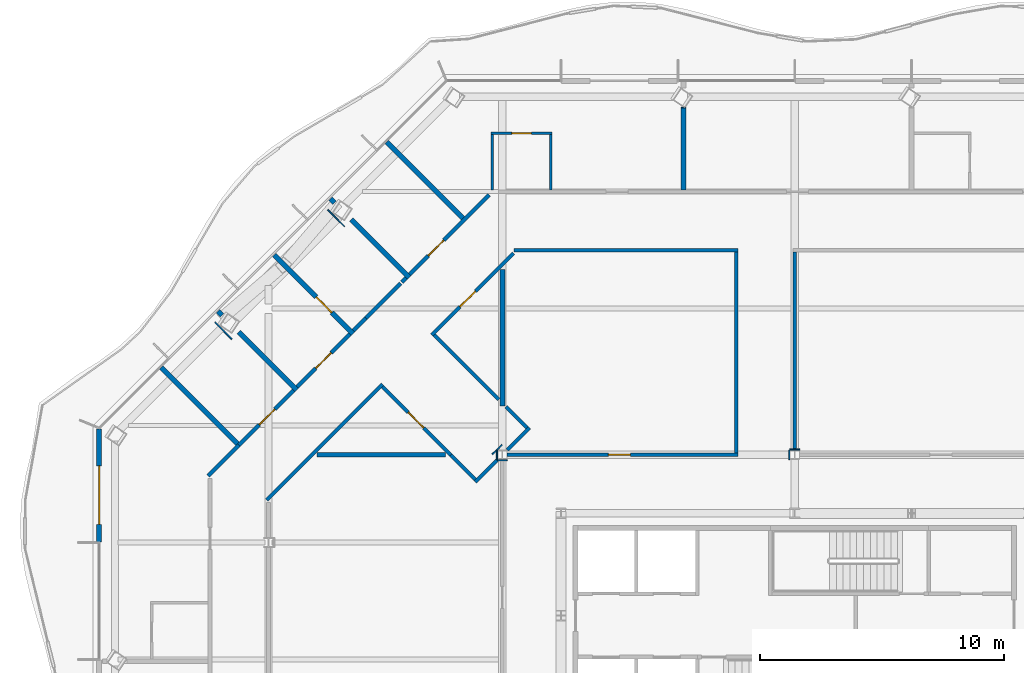
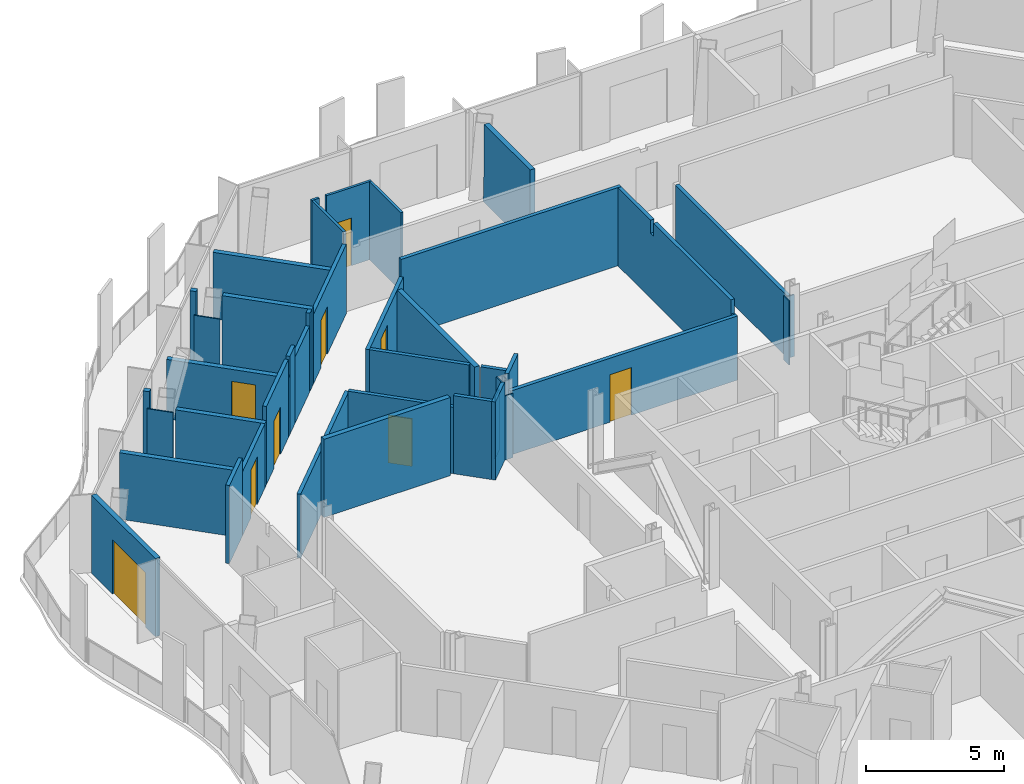
# One storey, part 12 of 21: 40 walls, 9 doors, 9 openings.
"""IFC4 building model written with IfcOpenShell, lengths in metres."""

from ifc_helpers import new_model, si_unit, direction, frame, frame_2d, origin, place, context, subcontext, project, spatial, polyline, rectangle, outline, extrude, material, layer, layer_set, type_object, element, fill, save


model = new_model("IFC4")

# Units and contexts
model_context = context("Model", 3, precision=1e-05, world=origin(), true_north=direction((0.0, 1.0)))
body_context = subcontext(model_context, "Body", "Model", "MODEL_VIEW")
ifc_project = project(units=[si_unit("LENGTHUNIT", "METRE"), si_unit("AREAUNIT", "SQUARE_METRE"), si_unit("VOLUMEUNIT", "CUBIC_METRE"), si_unit("PLANEANGLEUNIT", "RADIAN"), si_unit("MASSUNIT", "GRAM", prefix="KILO")], contexts=[model_context])

# Site, building, storey
site_placement = place(None, origin())
site = spatial("IfcSite", under=ifc_project, at=site_placement, CompositionType="ELEMENT")
building_placement = place(site_placement, origin())
building = spatial("IfcBuilding", under=site, at=building_placement, Name="Cairn Pilgrim Tower", CompositionType="ELEMENT")
storey_placement = place(building_placement, frame((0.0, 0.0, 172.199951171875)))
storey = spatial("IfcBuildingStorey", under=building, at=storey_placement, Name="L43", CompositionType="ELEMENT", Elevation=172.199951171875)

# Wall, opening, door
ifc_material_1 = material(Name="Bronze anodised aluminium insulated sandwich panel with mineral wool fill", Category="aluminium")
ifc_layer_1 = layer(ifc_material_1, 0.199951171875)
ifc_layer_set_1 = layer_set([ifc_layer_1], Name="BRONZE INFILL FRAME WALL 200")
wall_type_1 = type_object("IfcWallType", Name="BRONZE INFILL FRAME WALL 200", PredefinedType="NOTDEFINED", material=ifc_layer_set_1)
wall_1_placement = place(storey_placement, frame((-21.35009765625, 14.25634765625, 0.0), z_axis=(0.0, 0.0, 1.0), x_axis=(0.0, -1.0, 0.0)))
wall_1 = element("IfcWall", 1, at=wall_1_placement, inside=storey, type_object=wall_type_1, Name="Bronze infill frame wall IW-W1", PredefinedType="NOTDEFINED", context=body_context, shape_type="SweptSolid", body=[
    extrude(rectangle(XDim=4.62646484375, YDim=0.199951171875, at=frame_2d((2.313232421875, 0.0))), origin(), (0.0, 0.0, 1.0), 3.449951171875),
])
opening_1_placement = place(wall_1_placement, frame((1.508544921875, 0.0, 0.0)))
opening_1 = element("IfcOpeningElement", 2, at=opening_1_placement, cuts=wall_1, Name="Opening 4320B", PredefinedType="OPENING", context=body_context, shape_type="SweptSolid", body=[
    extrude(rectangle(XDim=2.39990234375, YDim=2.39990234375, at=frame_2d((1.199951171875, 1.199951171875))), frame((0.0, 0.10986328125, 0.0), z_axis=(0.0, -1.0, 0.0), x_axis=(1.0, 0.0, 0.0)), (0.0, 0.0, 1.0), 0.219970703125),
])
ifc_material_2 = material(Name="Bronze anodised aluminium frame with tinted low-E glass", Category="aluminium")
door_type_1 = type_object("IfcDoorType", Name="BALCONY SLIDING DOOR 2400x2400", OperationType="DOUBLE_DOOR_SLIDING", PredefinedType="DOOR", material=ifc_material_2)
door_1_placement = place(opening_1_placement, origin())
door_1 = element("IfcDoor", 3, at=door_1_placement, inside=storey, type_object=door_type_1, Name="Balcony sliding door 4320B", OperationType="SINGLE_SWING_LEFT", OverallHeight=2.39990234375, OverallWidth=2.39990234375, PredefinedType="DOOR", context=body_context, shape_type="SweptSolid", body=[
    extrude(rectangle(XDim=2.39990234375, YDim=2.39990234375, at=frame_2d((1.199951171875, 1.199951171875))), frame((0.0, 0.02490234375, 0.0), z_axis=(0.0, -1.0, 0.0), x_axis=(1.0, 0.0, 0.0)), (0.0, 0.0, 1.0), 0.050048828125),
])
fill(opening_1, door_1)

# Walls
ifc_material_3 = material(Name="Gypsum partition")
ifc_layer_2 = layer(ifc_material_3, 0.10009765625)
ifc_layer_set_2 = layer_set([ifc_layer_2], Name="PARTITION 100 DRYWALL")
wall_type_2 = type_object("IfcWallType", Name="PARTITION 100 DRYWALL", PredefinedType="PARTITIONING", material=ifc_layer_set_2)
for number, where, z_axis, x_axis, name in (
    (4, (-5.2119140625, 24.074951171875, 0.0), (0.0, 0.0, 1.0), (0.0, 1.0, 0.0), "PARTITION W128"),
    (5, (-2.81201171875, 24.074951171875, 0.0), (0.0, 0.0, 1.0), (0.0, 1.0, 0.0), "PARTITION W129"),
):
    element("IfcWall", number, at=place(storey_placement, frame(where, z_axis=z_axis, x_axis=x_axis)), inside=storey, type_object=wall_type_2, Name=name, PredefinedType="PARTITIONING", context=body_context, shape_type="SweptSolid", body=[
        extrude(rectangle(XDim=2.275146484375, YDim=0.10009765625, at=frame_2d((1.1376953125, 0.0))), origin(), (0.0, 0.0, 1.0), 3.449951171875),
    ])

# Wall, opening, door
wall_2_placement = place(storey_placement, frame((-5.261962890625, 26.39990234375, 0.0), z_axis=(0.0, 0.0, 1.0), x_axis=(1.0, 0.0, 0.0)))
wall_2 = element("IfcWall", 6, at=wall_2_placement, inside=storey, type_object=wall_type_2, Name="PARTITION W133", PredefinedType="PARTITIONING", context=body_context, shape_type="SweptSolid", body=[
    extrude(outline(polyline([(0.0, 0.0), (2.5, 0.0), (2.5, 3.449951171875), (0.612060546875, 3.449951171875), (0.610107421875, 2.72998046875), (0.31201171875, 2.72998046875), (0.31005859375, 3.449951171875), (0.0, 3.449951171875), (0.0, 0.0)])), frame((0.0, 0.050048828125, 0.0), z_axis=(0.0, -1.0, 0.0), x_axis=(1.0, 0.0, 0.0)), (0.0, 0.0, 1.0), 0.10009765625),
])
opening_2_placement = place(wall_2_placement, frame((0.85009765625, 0.0, 0.0)))
opening_2 = element("IfcOpeningElement", 7, at=opening_2_placement, cuts=wall_2, Name="Opening 4315A", PredefinedType="OPENING", context=body_context, shape_type="SweptSolid", body=[
    extrude(rectangle(XDim=0.800048828125, YDim=2.10009765625, at=frame_2d((0.39990234375, 1.050048828125))), frame((0.0, 0.06005859375, 0.0), z_axis=(0.0, -1.0, 0.0), x_axis=(1.0, 0.0, 0.0)), (0.0, 0.0, 1.0), 0.1201171875),
])
ifc_material_4 = material(Name="Timber door leaf", Category="wood")
door_type_2 = type_object("IfcDoorType", Name="WC DOOR 800x2100", OperationType="NOTDEFINED", PredefinedType="DOOR", material=ifc_material_4)
door_2_placement = place(opening_2_placement, origin())
door_2 = element("IfcDoor", 8, at=door_2_placement, inside=storey, type_object=door_type_2, Name="DOOR 4315A", OperationType="SINGLE_SWING_LEFT", OverallHeight=2.10009765625, OverallWidth=0.800048828125, PredefinedType="DOOR", context=body_context, shape_type="SweptSolid", body=[
    extrude(rectangle(XDim=0.800048828125, YDim=2.10009765625, at=frame_2d((0.39990234375, 1.050048828125))), frame((0.0, 0.02490234375, 0.0), z_axis=(0.0, -1.0, 0.0), x_axis=(1.0, 0.0, 0.0)), (0.0, 0.0, 1.0), 0.050048828125),
])
fill(opening_2, door_2)

# Walls
ifc_layer_3 = layer(ifc_material_3, 0.14990234375)
ifc_layer_set_3 = layer_set([ifc_layer_3], Name="PARTITION 150 DRYWALL EI 60")
wall_type_3 = type_object("IfcWallType", Name="PARTITION 150 DRYWALL EI 60", PredefinedType="PARTITIONING", material=ifc_layer_set_3)
wall_3_placement = place(storey_placement, frame((-14.47509765625, 11.343017578125, 0.0), z_axis=(0.0, 0.0, 1.0), x_axis=(0.707124921665, 0.707088640243, 0.0)))
element("IfcWall", 9, at=wall_3_placement, inside=storey, type_object=wall_type_3, Name="PARTITION W075", PredefinedType="PARTITIONING", context=body_context, shape_type="SweptSolid", body=[
    extrude(rectangle(XDim=6.72900390625, YDim=0.14990234375, at=frame_2d((3.364501953125, 0.0))), origin(), (0.0, 0.0, 1.0), 2.830078125),
])
wall_4_placement = place(storey_placement, frame((-5.9140625, 12.0859375, 0.0), z_axis=(0.0, 0.0, 1.0), x_axis=(0.707106781187, 0.707106781187, 0.0)))
element("IfcWall", 10, at=wall_4_placement, inside=storey, type_object=wall_type_3, Name="PARTITION W077", PredefinedType="PARTITIONING", context=body_context, shape_type="SweptSolid", body=[
    extrude(rectangle(XDim=1.29541015625, YDim=0.14990234375, at=frame_2d((0.647705078125, 0.0))), origin(), (0.0, 0.0, 1.0), 3.449951171875),
])
wall_5_placement = place(storey_placement, frame((-5.9140625, 12.192138671875, 0.0), z_axis=(0.0, 0.0, 1.0), x_axis=(-0.706763941595, 0.707449454633, 0.0)))
element("IfcWall", 11, at=wall_5_placement, inside=storey, type_object=wall_type_3, Name="PARTITION W079", PredefinedType="PARTITIONING", context=body_context, shape_type="SweptSolid", body=[
    extrude(rectangle(XDim=1.424560546875, YDim=0.14990234375, at=frame_2d((0.71240234375, 0.0))), origin(), (0.0, 0.0, 1.0), 3.449951171875),
])
wall_6_placement = place(storey_placement, frame((-16.875, 12.337158203125, 0.0), z_axis=(0.0, 0.0, 1.0), x_axis=(0.707380006342, 0.706833450417, 0.0)))
element("IfcWall", 12, at=wall_6_placement, inside=storey, type_object=wall_type_3, Name="PARTITION W081", PredefinedType="PARTITIONING", context=body_context, shape_type="SweptSolid", body=[
    extrude(rectangle(XDim=1.786865234375, YDim=0.14990234375, at=frame_2d((0.8935546875, 0.0))), origin(), (0.0, 0.0, 1.0), 3.449951171875),
])

# Wall, opening, door
wall_7_placement = place(storey_placement, frame((-6.9208984375, 13.199951171875, 0.0), z_axis=(0.0, 0.0, 1.0), x_axis=(-0.707230271715, 0.706983269088, 0.0)))
wall_7 = element("IfcWall", 13, at=wall_7_placement, inside=storey, type_object=wall_type_3, Name="PARTITION W084", PredefinedType="PARTITIONING", context=body_context, shape_type="SweptSolid", body=[
    extrude(rectangle(XDim=3.95361328125, YDim=0.14990234375, at=frame_2d((1.976806640625, 0.0))), origin(), (0.0, 0.0, 1.0), 2.929931640625),
])
opening_3_placement = place(wall_7_placement, frame((1.56396484375, 0.0, 0.0)))
opening_3 = element("IfcOpeningElement", 14, at=opening_3_placement, cuts=wall_7, Name="Opening 4336", PredefinedType="OPENING", context=body_context, shape_type="SweptSolid", body=[
    extrude(rectangle(XDim=0.89990234375, YDim=2.10009765625, at=frame_2d((0.449951171875, 1.050048828125))), frame((0.0, 0.0849609375, 0.0), z_axis=(0.0, -1.0, 0.0), x_axis=(1.0, 0.0, 0.0)), (0.0, 0.0, 1.0), 0.169921875),
])
door_type_3 = type_object("IfcDoorType", Name="SERVICE DOOR 900x2100 FD30S", OperationType="NOTDEFINED", PredefinedType="DOOR", material=ifc_material_4)
door_3_placement = place(opening_3_placement, origin())
door_3 = element("IfcDoor", 15, at=door_3_placement, inside=storey, type_object=door_type_3, Name="DOOR 4336", OperationType="SINGLE_SWING_LEFT", OverallHeight=2.10009765625, OverallWidth=0.89990234375, PredefinedType="DOOR", context=body_context, shape_type="SweptSolid", body=[
    extrude(rectangle(XDim=0.89990234375, YDim=2.10009765625, at=frame_2d((0.449951171875, 1.050048828125))), frame((0.0, 0.02490234375, 0.0), z_axis=(0.0, -1.0, 0.0), x_axis=(1.0, 0.0, 0.0)), (0.0, 0.0, 1.0), 0.050048828125),
])
fill(opening_3, door_3)

wall_8_placement = place(storey_placement, frame((-4.6005859375, 13.199951171875, 0.0), z_axis=(0.0, 0.0, 1.0), x_axis=(1.0, 0.0, 0.0)))
wall_8 = element("IfcWall", 16, at=wall_8_placement, inside=storey, type_object=wall_type_3, Name="PARTITION W085", PredefinedType="PARTITIONING", context=body_context, shape_type="SweptSolid", body=[
    extrude(rectangle(XDim=9.4755859375, YDim=0.14990234375, at=frame_2d((4.73779296875, 0.0))), origin(), (0.0, 0.0, 1.0), 2.830078125),
])
opening_4_placement = place(wall_8_placement, frame((4.150634765625, 0.0, 0.0)))
opening_4 = element("IfcOpeningElement", 17, at=opening_4_placement, cuts=wall_8, Name="Opening 4334", PredefinedType="OPENING", context=body_context, shape_type="SweptSolid", body=[
    extrude(rectangle(XDim=0.89990234375, YDim=2.10009765625, at=frame_2d((0.449951171875, 1.050048828125))), frame((0.0, 0.0849609375, 0.0), z_axis=(0.0, -1.0, 0.0), x_axis=(1.0, 0.0, 0.0)), (0.0, 0.0, 1.0), 0.169921875),
])
door_4_placement = place(opening_4_placement, origin())
door_4 = element("IfcDoor", 18, at=door_4_placement, inside=storey, type_object=door_type_3, Name="DOOR 4334", OperationType="SINGLE_SWING_LEFT", OverallHeight=2.10009765625, OverallWidth=0.89990234375, PredefinedType="DOOR", context=body_context, shape_type="SweptSolid", body=[
    extrude(rectangle(XDim=0.89990234375, YDim=2.10009765625, at=frame_2d((0.449951171875, 1.050048828125))), frame((0.0, 0.02490234375, 0.0), z_axis=(0.0, -1.0, 0.0), x_axis=(1.0, 0.0, 0.0)), (0.0, 0.0, 1.0), 0.050048828125),
])
fill(opening_4, door_4)

# Walls
wall_9_placement = place(storey_placement, frame((4.800048828125, 13.27490234375, 0.0), z_axis=(0.0, 0.0, 1.0), x_axis=(0.0, 1.0, 0.0)))
element("IfcWall", 19, at=wall_9_placement, inside=storey, type_object=wall_type_3, Name="PARTITION W088", PredefinedType="PARTITIONING", context=body_context, shape_type="SweptSolid", body=[
    extrude(outline(polyline([(0.0, 0.0), (8.25, 0.0), (8.25, 3.449951171875), (5.8798828125, 3.449951171875), (5.8779296875, 2.880126953125), (5.669921875, 2.880126953125), (5.66796875, 3.449951171875), (0.074951171875, 3.449951171875), (0.072998046875, 2.830078125), (0.0, 2.830078125), (0.0, 0.0)])), frame((0.0, 0.074951171875, 0.0), z_axis=(0.0, -1.0, 0.0), x_axis=(1.0, 0.0, 0.0)), (0.0, 0.0, 1.0), 0.14990234375),
])
wall_10_placement = place(storey_placement, frame((-4.60205078125, 13.39794921875, 0.0), z_axis=(0.0, 0.0, 1.0), x_axis=(0.707106781187, 0.707106781187, 0.0)))
element("IfcWall", 20, at=wall_10_placement, inside=storey, type_object=wall_type_3, Name="PARTITION W089", PredefinedType="PARTITIONING", context=body_context, shape_type="SweptSolid", body=[
    extrude(rectangle(XDim=1.2958984375, YDim=0.14990234375, at=frame_2d((0.64794921875, 0.0))), origin(), (0.0, 0.0, 1.0), 3.449951171875),
])
wall_11_placement = place(storey_placement, frame((7.199951171875, 13.396484375, 0.0), z_axis=(0.0, 0.0, 1.0), x_axis=(0.0, 1.0, 0.0)))
element("IfcWall", 21, at=wall_11_placement, inside=storey, type_object=wall_type_3, Name="PARTITION W090", PredefinedType="PARTITIONING", context=body_context, shape_type="SweptSolid", body=[
    extrude(rectangle(XDim=8.12841796875, YDim=0.14990234375, at=frame_2d((4.064208984375, 0.0))), origin(), (0.0, 0.0, 1.0), 2.72998046875),
])

# Wall, opening, door
wall_12_placement = place(storey_placement, frame((-15.611083984375, 13.60009765625, 0.0), z_axis=(0.0, 0.0, 1.0), x_axis=(0.707145291481, 0.707068268794, 0.0)))
wall_12 = element("IfcWall", 22, at=wall_12_placement, inside=storey, type_object=wall_type_3, Name="PARTITION W094", PredefinedType="PARTITIONING", context=body_context, shape_type="SweptSolid", body=[
    extrude(rectangle(XDim=3.169677734375, YDim=0.14990234375, at=frame_2d((1.5849609375, 0.0))), origin(), (0.0, 0.0, 1.0), 2.830078125),
])
opening_5_placement = place(wall_12_placement, frame((1.18505859375, 0.0, 0.0)))
opening_5 = element("IfcOpeningElement", 23, at=opening_5_placement, cuts=wall_12, Name="Opening 4319", PredefinedType="OPENING", context=body_context, shape_type="SweptSolid", body=[
    extrude(rectangle(XDim=0.89990234375, YDim=2.10009765625, at=frame_2d((0.449951171875, 1.050048828125))), frame((0.0, 0.0849609375, 0.0), z_axis=(0.0, -1.0, 0.0), x_axis=(1.0, 0.0, 0.0)), (0.0, 0.0, 1.0), 0.169921875),
])
door_type_4 = type_object("IfcDoorType", Name="ROOM DOOR 900x2100 FD30S", OperationType="NOTDEFINED", PredefinedType="DOOR", material=ifc_material_4)
door_5_placement = place(opening_5_placement, origin())
door_5 = element("IfcDoor", 24, at=door_5_placement, inside=storey, type_object=door_type_4, Name="DOOR 4319", OperationType="SINGLE_SWING_LEFT", OverallHeight=2.10009765625, OverallWidth=0.89990234375, PredefinedType="DOOR", context=body_context, shape_type="SweptSolid", body=[
    extrude(rectangle(XDim=0.89990234375, YDim=2.10009765625, at=frame_2d((0.449951171875, 1.050048828125))), frame((0.0, 0.02490234375, 0.0), z_axis=(0.0, -1.0, 0.0), x_axis=(1.0, 0.0, 0.0)), (0.0, 0.0, 1.0), 0.050048828125),
])
fill(opening_5, door_5)

# Walls
wall_13_placement = place(storey_placement, frame((-3.7919921875, 14.31396484375, 0.0), z_axis=(0.0, 0.0, 1.0), x_axis=(-0.707409718716, 0.706803713817, 0.0)))
element("IfcWall", 25, at=wall_13_placement, inside=storey, type_object=wall_type_3, Name="PARTITION W097", PredefinedType="PARTITIONING", context=body_context, shape_type="SweptSolid", body=[
    extrude(rectangle(XDim=1.20849609375, YDim=0.14990234375, at=frame_2d((0.604248046875, 0.0))), origin(), (0.0, 0.0, 1.0), 2.72998046875),
])
wall_14_placement = place(storey_placement, frame((-4.952880859375, 15.47412109375, 0.0), z_axis=(0.0, 0.0, 1.0), x_axis=(-0.707008778354, 0.707204770438, 0.0)))
element("IfcWall", 26, at=wall_14_placement, inside=storey, type_object=wall_type_3, Name="PARTITION W100", PredefinedType="PARTITIONING", context=body_context, shape_type="SweptSolid", body=[
    extrude(rectangle(XDim=3.737060546875, YDim=0.14990234375, at=frame_2d((1.86865234375, 0.0))), origin(), (0.0, 0.0, 1.0), 2.72998046875),
])

# Wall, opening, door
wall_15_placement = place(storey_placement, frame((-13.228271484375, 15.982666015625, 0.0), z_axis=(0.0, 0.0, 1.0), x_axis=(0.706947737832, 0.707265788777, 0.0)))
wall_15 = element("IfcWall", 27, at=wall_15_placement, inside=storey, type_object=wall_type_3, Name="PARTITION W105", PredefinedType="PARTITIONING", context=body_context, shape_type="SweptSolid", body=[
    extrude(rectangle(XDim=3.070556640625, YDim=0.14990234375, at=frame_2d((1.53515625, 0.0))), origin(), (0.0, 0.0, 1.0), 3.449951171875),
])
opening_6_placement = place(wall_15_placement, frame((1.0849609375, 0.0, 0.0)))
opening_6 = element("IfcOpeningElement", 28, at=opening_6_placement, cuts=wall_15, Name="Opening 4318", PredefinedType="OPENING", context=body_context, shape_type="SweptSolid", body=[
    extrude(rectangle(XDim=0.89990234375, YDim=2.10009765625, at=frame_2d((0.449951171875, 1.050048828125))), frame((0.0, 0.0849609375, 0.0), z_axis=(0.0, -1.0, 0.0), x_axis=(1.0, 0.0, 0.0)), (0.0, 0.0, 1.0), 0.169921875),
])
door_6_placement = place(opening_6_placement, origin())
door_6 = element("IfcDoor", 29, at=door_6_placement, inside=storey, type_object=door_type_3, Name="DOOR 4318", OperationType="SINGLE_SWING_LEFT", OverallHeight=2.10009765625, OverallWidth=0.89990234375, PredefinedType="DOOR", context=body_context, shape_type="SweptSolid", body=[
    extrude(rectangle(XDim=0.89990234375, YDim=2.10009765625, at=frame_2d((0.449951171875, 1.050048828125))), frame((0.0, 0.02490234375, 0.0), z_axis=(0.0, -1.0, 0.0), x_axis=(1.0, 0.0, 0.0)), (0.0, 0.0, 1.0), 0.050048828125),
])
fill(opening_6, door_6)

wall_16_placement = place(storey_placement, frame((-7.700927734375, 18.116943359375, 0.0), z_axis=(0.0, 0.0, 1.0), x_axis=(0.707106781187, 0.707106781187, 0.0)))
wall_16 = element("IfcWall", 30, at=wall_16_placement, inside=storey, type_object=wall_type_3, Name="PARTITION W107", PredefinedType="PARTITIONING", context=body_context, shape_type="SweptSolid", body=[
    extrude(rectangle(XDim=4.74462890625, YDim=0.14990234375, at=frame_2d((2.372314453125, 0.0))), origin(), (0.0, 0.0, 1.0), 2.72998046875),
])
opening_7_placement = place(wall_16_placement, frame((1.638671875, 0.0, 0.0)))
opening_7 = element("IfcOpeningElement", 31, at=opening_7_placement, cuts=wall_16, Name="Opening 4335", PredefinedType="OPENING", context=body_context, shape_type="SweptSolid", body=[
    extrude(rectangle(XDim=0.89990234375, YDim=2.10009765625, at=frame_2d((0.449951171875, 1.050048828125))), frame((0.0, 0.0849609375, 0.0), z_axis=(0.0, -1.0, 0.0), x_axis=(1.0, 0.0, 0.0)), (0.0, 0.0, 1.0), 0.169921875),
])
door_7_placement = place(opening_7_placement, frame((0.89990234375, 0.0, 0.0), z_axis=(0.0, 0.0, 1.0), x_axis=(-1.0, 0.0, 0.0)))
door_7 = element("IfcDoor", 32, at=door_7_placement, inside=storey, type_object=door_type_3, Name="DOOR 4335", OperationType="SINGLE_SWING_LEFT", OverallHeight=2.10009765625, OverallWidth=0.89990234375, PredefinedType="DOOR", context=body_context, shape_type="SweptSolid", body=[
    extrude(rectangle(XDim=0.89990234375, YDim=2.10009765625, at=frame_2d((0.449951171875, 1.050048828125))), frame((0.0, 0.02490234375, 0.0), z_axis=(0.0, -1.0, 0.0), x_axis=(1.0, 0.0, 0.0)), (0.0, 0.0, 1.0), 0.050048828125),
])
fill(opening_7, door_7)

# Walls
wall_17_placement = place(storey_placement, frame((-10.916259765625, 18.295654296875, 0.0), z_axis=(0.0, 0.0, 1.0), x_axis=(0.707106781187, 0.707106781187, 0.0)))
element("IfcWall", 33, at=wall_17_placement, inside=storey, type_object=wall_type_3, Name="PARTITION W112", PredefinedType="PARTITIONING", context=body_context, shape_type="SweptSolid", body=[
    extrude(rectangle(XDim=0.7216796875, YDim=0.14990234375, at=frame_2d((0.36083984375, 0.0))), origin(), (0.0, 0.0, 1.0), 3.449951171875),
])
wall_18_placement = place(storey_placement, frame((-10.406005859375, 18.805908203125, 0.0), z_axis=(0.0, 0.0, 1.0), x_axis=(0.707408152147, 0.706805281726, 0.0)))
element("IfcWall", 34, at=wall_18_placement, inside=storey, type_object=wall_type_3, Name="PARTITION W113", PredefinedType="PARTITIONING", context=body_context, shape_type="SweptSolid", body=[
    extrude(rectangle(XDim=2.02490234375, YDim=0.14990234375, at=frame_2d((1.012451171875, 0.0))), origin(), (0.0, 0.0, 1.0), 2.929931640625),
])
wall_19_placement = place(storey_placement, frame((-8.921142578125, 20.29052734375, 0.0), z_axis=(0.0, 0.0, 1.0), x_axis=(0.706615222949, 0.707597997946, 0.0)))
element("IfcWall", 35, at=wall_19_placement, inside=storey, type_object=wall_type_3, Name="PARTITION W117", PredefinedType="PARTITIONING", context=body_context, shape_type="SweptSolid", body=[
    extrude(rectangle(XDim=0.24853515625, YDim=0.14990234375, at=frame_2d((0.124267578125, 0.0))), origin(), (0.0, 0.0, 1.0), 3.449951171875),
])

# Wall, opening, door
wall_20_placement = place(storey_placement, frame((-8.604248046875, 20.607666015625, 0.0), z_axis=(0.0, 0.0, 1.0), x_axis=(0.707080337897, 0.707133223487, 0.0)))
wall_20 = element("IfcWall", 36, at=wall_20_placement, inside=storey, type_object=wall_type_3, Name="PARTITION W121", PredefinedType="PARTITIONING", context=body_context, shape_type="SweptSolid", body=[
    extrude(rectangle(XDim=4.616455078125, YDim=0.14990234375, at=frame_2d((2.30810546875, 0.0))), origin(), (0.0, 0.0, 1.0), 3.070068359375),
])
opening_8_placement = place(wall_20_placement, frame((1.0849609375, 0.0, 0.0)))
opening_8 = element("IfcOpeningElement", 37, at=opening_8_placement, cuts=wall_20, Name="Opening 4316", PredefinedType="OPENING", context=body_context, shape_type="SweptSolid", body=[
    extrude(rectangle(XDim=0.89990234375, YDim=2.10009765625, at=frame_2d((0.449951171875, 1.050048828125))), frame((0.0, 0.0849609375, 0.0), z_axis=(0.0, -1.0, 0.0), x_axis=(1.0, 0.0, 0.0)), (0.0, 0.0, 1.0), 0.169921875),
])
door_8_placement = place(opening_8_placement, origin())
door_8 = element("IfcDoor", 38, at=door_8_placement, inside=storey, type_object=door_type_4, Name="DOOR 4316", OperationType="SINGLE_SWING_LEFT", OverallHeight=2.10009765625, OverallWidth=0.89990234375, PredefinedType="DOOR", context=body_context, shape_type="SweptSolid", body=[
    extrude(rectangle(XDim=0.89990234375, YDim=2.10009765625, at=frame_2d((0.449951171875, 1.050048828125))), frame((0.0, 0.02490234375, 0.0), z_axis=(0.0, -1.0, 0.0), x_axis=(1.0, 0.0, 0.0)), (0.0, 0.0, 1.0), 0.050048828125),
])
fill(opening_8, door_8)

# Walls
wall_21_placement = place(storey_placement, frame((-4.32421875, 21.60009765625, 0.0), z_axis=(0.0, 0.0, 1.0), x_axis=(1.0, 0.0, 0.0)))
element("IfcWall", 39, at=wall_21_placement, inside=storey, type_object=wall_type_3, Name="PARTITION W122", PredefinedType="PARTITIONING", context=body_context, shape_type="SweptSolid", body=[
    extrude(rectangle(XDim=9.19921875, YDim=0.14990234375, at=frame_2d((4.599609375, 0.0))), origin(), (0.0, 0.0, 1.0), 3.449951171875),
])
ifc_layer_4 = layer(ifc_material_3, 0.050048828125)
ifc_layer_set_4 = layer_set([ifc_layer_4], Name="PARTITION 50 DRYWALL EI 60")
wall_type_4 = type_object("IfcWallType", Name="PARTITION 50 DRYWALL EI 60", PredefinedType="PARTITIONING", material=ifc_layer_set_4)
wall_22_placement = place(storey_placement, frame((-5.0244140625, 13.00341796875, 0.0), z_axis=(0.0, 0.0, 1.0), x_axis=(0.0, 1.0, 0.0)))
element("IfcWall", 40, at=wall_22_placement, inside=storey, type_object=wall_type_4, Name="COLUMN CASING WC15", PredefinedType="PARTITIONING", context=body_context, shape_type="SweptSolid", body=[
    extrude(rectangle(XDim=0.39306640625, YDim=0.050048828125, at=frame_2d((0.196533203125, 0.0))), origin(), (0.0, 0.0, 1.0), 3.449951171875),
])
wall_23_placement = place(storey_placement, frame((-5.213623046875, 13.2177734375, 0.0), z_axis=(0.0, 0.0, 1.0), x_axis=(0.707106781187, 0.707106781187, 0.0)))
element("IfcWall", 41, at=wall_23_placement, inside=storey, type_object=wall_type_4, Name="COLUMN CASING WC21", PredefinedType="PARTITIONING", context=body_context, shape_type="SweptSolid", body=[
    extrude(rectangle(XDim=0.56005859375, YDim=0.050048828125, at=frame_2d((0.280029296875, 0.0))), origin(), (0.0, 0.0, 1.0), 2.72998046875),
])
wall_24_placement = place(storey_placement, frame((-4.99951171875, 12.978515625, 0.0), z_axis=(0.0, 0.0, 1.0), x_axis=(1.0, 0.0, 0.0)))
element("IfcWall", 42, at=wall_24_placement, inside=storey, type_object=wall_type_4, Name="COLUMN CASING WC23", PredefinedType="PARTITIONING", context=body_context, shape_type="SweptSolid", body=[
    extrude(rectangle(XDim=0.39892578125, YDim=0.050048828125, at=frame_2d((0.199462890625, 0.0))), origin(), (0.0, 0.0, 1.0), 2.830078125),
])
wall_25_placement = place(storey_placement, frame((7.00048828125, 13.42138671875, 0.0), z_axis=(0.0, 0.0, 1.0), x_axis=(1.0, 0.0, 0.0)))
element("IfcWall", 43, at=wall_25_placement, inside=storey, type_object=wall_type_4, Name="COLUMN CASING WC24", PredefinedType="PARTITIONING", context=body_context, shape_type="SweptSolid", body=[
    extrude(rectangle(XDim=0.39892578125, YDim=0.050048828125, at=frame_2d((0.199462890625, 0.0))), origin(), (0.0, 0.0, 1.0), 2.72998046875),
])
wall_26_placement = place(storey_placement, frame((6.9755859375, 13.00341796875, 0.0), z_axis=(0.0, 0.0, 1.0), x_axis=(0.0, 1.0, 0.0)))
element("IfcWall", 44, at=wall_26_placement, inside=storey, type_object=wall_type_4, Name="COLUMN CASING WC26", PredefinedType="PARTITIONING", context=body_context, shape_type="SweptSolid", body=[
    extrude(rectangle(XDim=0.39306640625, YDim=0.050048828125, at=frame_2d((0.196533203125, 0.0))), origin(), (0.0, 0.0, 1.0), 2.830078125),
])
wall_27_placement = place(storey_placement, frame((-15.905517578125, 17.9462890625, 0.0), z_axis=(0.0, 0.0, 1.0), x_axis=(-0.706981329796, 0.707232210324, 0.0)))
element("IfcWall", 45, at=wall_27_placement, inside=storey, type_object=wall_type_4, Name="COLUMN CASING WC27", PredefinedType="PARTITIONING", context=body_context, shape_type="SweptSolid", body=[
    extrude(rectangle(XDim=0.97314453125, YDim=0.050048828125, at=frame_2d((0.486572265625, 0.0))), origin(), (0.0, 0.0, 1.0), 2.929931640625),
])
wall_28_placement = place(storey_placement, frame((-11.28125, 22.570556640625, 0.0), z_axis=(0.0, 0.0, 1.0), x_axis=(-0.706981285266, 0.707232254838, 0.0)))
element("IfcWall", 46, at=wall_28_placement, inside=storey, type_object=wall_type_4, Name="COLUMN CASING WC32", PredefinedType="PARTITIONING", context=body_context, shape_type="SweptSolid", body=[
    extrude(rectangle(XDim=0.972900390625, YDim=0.050048828125, at=frame_2d((0.486328125, 0.0))), origin(), (0.0, 0.0, 1.0), 2.630126953125),
])
ifc_layer_5 = layer(ifc_material_3, 0.199951171875)
ifc_layer_set_5 = layer_set([ifc_layer_5], Name="SHAFT WALL 200 GYPSUM EI 60")
wall_type_5 = type_object("IfcWallType", Name="SHAFT WALL 200 GYPSUM EI 60", PredefinedType="PARTITIONING", material=ifc_layer_set_5)
wall_29_placement = place(storey_placement, frame((-12.411865234375, 13.199951171875, 0.0), z_axis=(0.0, 0.0, 1.0), x_axis=(1.0, 0.0, 0.0)))
element("IfcWall", 47, at=wall_29_placement, inside=storey, type_object=wall_type_5, Name="PARTITION W083", PredefinedType="PARTITIONING", context=body_context, shape_type="SweptSolid", body=[
    extrude(rectangle(XDim=5.284912109375, YDim=0.199951171875, at=frame_2d((2.642578125, 0.0))), origin(), (0.0, 0.0, 1.0), 3.449951171875),
])
wall_30_placement = place(storey_placement, frame((-15.6640625, 13.653076171875, 0.0), z_axis=(0.0, 0.0, 1.0), x_axis=(-0.707217034054, 0.706996511125, 0.0)))
element("IfcWall", 48, at=wall_30_placement, inside=storey, type_object=wall_type_5, Name="PARTITION W095", PredefinedType="PARTITIONING", context=body_context, shape_type="SweptSolid", body=[
    extrude(rectangle(XDim=4.428466796875, YDim=0.199951171875, at=frame_2d((2.21435546875, 0.0))), origin(), (0.0, 0.0, 1.0), 2.929931640625),
])
wall_31_placement = place(storey_placement, frame((-4.800048828125, 15.20458984375, 0.0), z_axis=(0.0, 0.0, 1.0), x_axis=(0.0, 1.0, 0.0)))
element("IfcWall", 49, at=wall_31_placement, inside=storey, type_object=wall_type_5, Name="PARTITION W098", PredefinedType="PARTITIONING", context=body_context, shape_type="SweptSolid", body=[
    extrude(rectangle(XDim=5.607421875, YDim=0.199951171875, at=frame_2d((2.8037109375, 0.0))), origin(), (0.0, 0.0, 1.0), 2.72998046875),
])
wall_32_placement = place(storey_placement, frame((-13.24609375, 15.85888671875, 0.0), z_axis=(0.0, 0.0, 1.0), x_axis=(-0.706961285969, 0.707252246473, 0.0)))
element("IfcWall", 50, at=wall_32_placement, inside=storey, type_object=wall_type_5, Name="PARTITION W103", PredefinedType="PARTITIONING", context=body_context, shape_type="SweptSolid", body=[
    extrude(rectangle(XDim=3.3564453125, YDim=0.199951171875, at=frame_2d((1.67822265625, 0.0))), origin(), (0.0, 0.0, 1.0), 2.830078125),
])

# Wall, opening, door
wall_33_placement = place(storey_placement, frame((-10.93408203125, 18.172119140625, 0.0), z_axis=(0.0, 0.0, 1.0), x_axis=(-0.707106781187, 0.707106781187, 0.0)))
wall_33 = element("IfcWall", 51, at=wall_33_placement, inside=storey, type_object=wall_type_5, Name="PARTITION W109", PredefinedType="PARTITIONING", context=body_context, shape_type="SweptSolid", body=[
    extrude(rectangle(XDim=4.564697265625, YDim=0.199951171875, at=frame_2d((2.2822265625, 0.0))), origin(), (0.0, 0.0, 1.0), 2.630126953125),
])
opening_9_placement = place(wall_33_placement, frame((1.224853515625, 0.0, 0.0)))
opening_9 = element("IfcOpeningElement", 52, at=opening_9_placement, cuts=wall_33, Name="Opening 4317", PredefinedType="OPENING", context=body_context, shape_type="SweptSolid", body=[
    extrude(rectangle(XDim=0.89990234375, YDim=2.10009765625, at=frame_2d((0.449951171875, 1.050048828125))), frame((0.0, 0.10986328125, 0.0), z_axis=(0.0, -1.0, 0.0), x_axis=(1.0, 0.0, 0.0)), (0.0, 0.0, 1.0), 0.219970703125),
])
door_9_placement = place(opening_9_placement, frame((0.89990234375, 0.0, 0.0), z_axis=(0.0, 0.0, 1.0), x_axis=(-1.0, 0.0, 0.0)))
door_9 = element("IfcDoor", 53, at=door_9_placement, inside=storey, type_object=door_type_3, Name="DOOR 4317", OperationType="SINGLE_SWING_RIGHT", OverallHeight=2.10009765625, OverallWidth=0.89990234375, PredefinedType="DOOR", context=body_context, shape_type="SweptSolid", body=[
    extrude(rectangle(XDim=0.89990234375, YDim=2.10009765625, at=frame_2d((0.449951171875, 1.050048828125))), frame((0.0, 0.02490234375, 0.0), z_axis=(0.0, -1.0, 0.0), x_axis=(1.0, 0.0, 0.0)), (0.0, 0.0, 1.0), 0.050048828125),
])
fill(opening_9, door_9)

# Walls
wall_34_placement = place(storey_placement, frame((-16.306884765625, 18.9208984375, 0.0), z_axis=(0.0, 0.0, 1.0), x_axis=(-0.707623860892, 0.706589323084, 0.0)))
element("IfcWall", 54, at=wall_34_placement, inside=storey, type_object=wall_type_5, Name="PARTITION W115", PredefinedType="PARTITIONING", context=body_context, shape_type="SweptSolid", body=[
    extrude(rectangle(XDim=0.236083984375, YDim=0.199951171875, at=frame_2d((0.1181640625, 0.0))), origin(), (0.0, 0.0, 1.0), 3.449951171875),
])
wall_35_placement = place(storey_placement, frame((-8.6220703125, 20.48388671875, 0.0), z_axis=(0.0, 0.0, 1.0), x_axis=(-0.707070404574, 0.707143155928, 0.0)))
element("IfcWall", 55, at=wall_35_placement, inside=storey, type_object=wall_type_5, Name="PARTITION W119", PredefinedType="PARTITIONING", context=body_context, shape_type="SweptSolid", body=[
    extrude(rectangle(XDim=3.355712890625, YDim=0.199951171875, at=frame_2d((1.677734375, 0.0))), origin(), (0.0, 0.0, 1.0), 3.449951171875),
])
wall_36_placement = place(storey_placement, frame((-6.416015625, 22.902099609375, 0.0), z_axis=(0.0, 0.0, 1.0), x_axis=(-0.70713434924, 0.707079212059, 0.0)))
element("IfcWall", 56, at=wall_36_placement, inside=storey, type_object=wall_type_5, Name="PARTITION W124", PredefinedType="PARTITIONING", context=body_context, shape_type="SweptSolid", body=[
    extrude(rectangle(XDim=4.427978515625, YDim=0.199951171875, at=frame_2d((2.2138671875, 0.0))), origin(), (0.0, 0.0, 1.0), 2.929931640625),
])
wall_37_placement = place(storey_placement, frame((-11.682861328125, 23.544921875, 0.0), z_axis=(0.0, 0.0, 1.0), x_axis=(-0.707106781187, 0.707106781187, 0.0)))
element("IfcWall", 57, at=wall_37_placement, inside=storey, type_object=wall_type_5, Name="PARTITION W125", PredefinedType="PARTITIONING", context=body_context, shape_type="SweptSolid", body=[
    extrude(rectangle(XDim=0.236083984375, YDim=0.199951171875, at=frame_2d((0.1181640625, 0.0))), origin(), (0.0, 0.0, 1.0), 3.449951171875),
])
wall_38_placement = place(storey_placement, frame((2.636962890625, 24.074951171875, 0.0), z_axis=(0.0, 0.0, 1.0), x_axis=(0.0, 1.0, 0.0)))
element("IfcWall", 58, at=wall_38_placement, inside=storey, type_object=wall_type_5, Name="PARTITION W130", PredefinedType="PARTITIONING", context=body_context, shape_type="SweptSolid", body=[
    extrude(outline(polyline([(0.0, 0.0), (3.40234375, 0.0), (3.366455078125, 0.862548828125), (3.330322265625, 1.72509765625), (3.32275390625, 2.587646484375), (3.32275390625, 3.449951171875), (0.0, 3.449951171875), (0.0, 2.587646484375), (0.0, 1.72509765625), (0.0, 0.862548828125), (0.0, 0.0)])), frame((0.0, 0.10009765625, 0.0), z_axis=(0.0, -1.0, 0.0), x_axis=(1.0, 0.0, 0.0)), (0.0, 0.0, 1.0), 0.199951171875),
])

save(model, "model.ifc")
